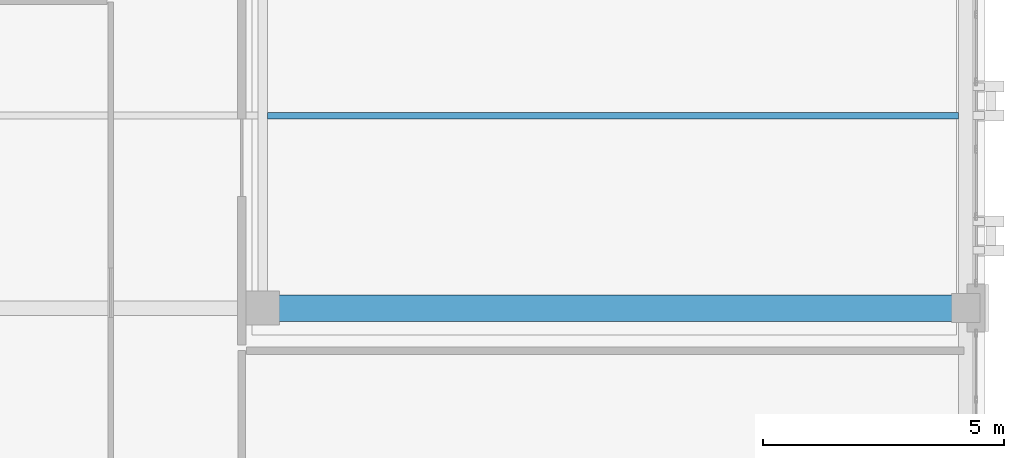
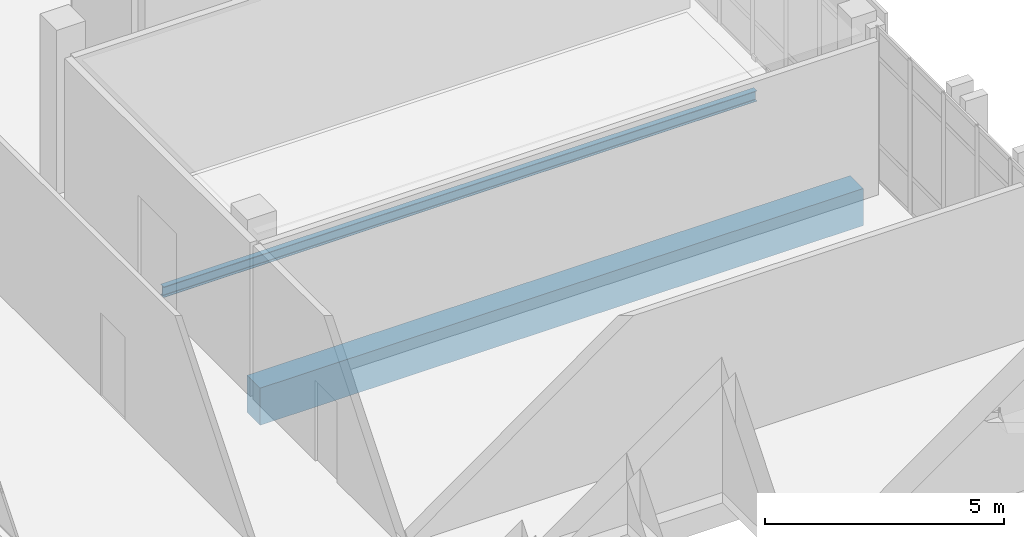
# One storey, part 35 of 77: 2 beams.
"""IFC4 building model written with IfcOpenShell, lengths in metres."""

from ifc_helpers import new_model, si_unit, direction, frame, origin, origin_2d, place, context, subcontext, project, spatial, rectangle, i_section, extrude, material, material_profile, profile_set, type_object, element, save


model = new_model("IFC4")

# Units and contexts
model_context = context("Model", 3, precision=1e-05, world=origin(), true_north=direction((0.0, 1.0)))
body_context = subcontext(model_context, "Body", "Model", "MODEL_VIEW")
ifc_project = project(units=[si_unit("LENGTHUNIT", "METRE"), si_unit("AREAUNIT", "SQUARE_METRE"), si_unit("VOLUMEUNIT", "CUBIC_METRE"), si_unit("PLANEANGLEUNIT", "RADIAN"), si_unit("MASSUNIT", "GRAM", prefix="KILO")], contexts=[model_context])

# Site, building, storey
site_placement = place(None, origin())
site = spatial("IfcSite", under=ifc_project, at=site_placement, CompositionType="ELEMENT")
building_placement = place(site_placement, origin())
building = spatial("IfcBuilding", under=site, at=building_placement, Name="Qalavern Law Courts", CompositionType="ELEMENT")
storey_placement = place(building_placement, frame((0.0, 0.0, 27.0)))
storey = spatial("IfcBuildingStorey", under=building, at=storey_placement, Name="L06", CompositionType="ELEMENT", Elevation=27.0)

# Beams
ifc_material_1 = material(Name="Concrete C40/50", Category="concrete")
ifc_material_profile_1 = material_profile(ifc_material_1, rectangle(XDim=0.550048828125, YDim=0.949951171875, at=origin_2d()), Name="RC 550x950")
ifc_profile_set_1 = profile_set([ifc_material_profile_1], Name="Concrete C40/50")
beam_type_1 = type_object("IfcBeamType", Name="STR-BM-RC550x950", PredefinedType="BEAM", material=ifc_profile_set_1)
beam_1_placement = place(storey_placement, frame((91.800048828125, 57.39990234375, -0.7451171875), z_axis=(1.0, 0.0, 0.0), x_axis=(0.0, 1.0, 0.0)))
element("IfcBeam", 1, at=beam_1_placement, inside=storey, type_object=beam_type_1, Name="V4 X-beam 3-2 L06", PredefinedType="BEAM", context=body_context, shape_type="SweptSolid", body=[
    extrude(rectangle(XDim=0.550048828125, YDim=0.949951171875, at=origin_2d()), origin(), (0.0, 0.0, 1.0), 14.599853515625),
])
ifc_material_2 = material(Name="Steel S355", Category="steel")
ifc_material_profile_2 = material_profile(ifc_material_2, i_section(OverallWidth=0.135009765625, OverallDepth=0.27001953125, WebThickness=0.006591796875, FlangeThickness=0.01025390625, FilletRadius=0.014892578125, at=origin_2d()), Name="IPE 270")
ifc_profile_set_2 = profile_set([ifc_material_profile_2], Name="Steel S355")
beam_type_2 = type_object("IfcBeamType", Name="STR-JST-IPE270", PredefinedType="JOIST", material=ifc_profile_set_2)
beam_2_placement = place(storey_placement, frame((91.89794921875, 61.39990234375, -0.405029296875), z_axis=(1.0, 0.0, 0.0), x_axis=(0.0, 1.0, 0.0)))
element("IfcBeam", 2, at=beam_2_placement, inside=storey, type_object=beam_type_2, Name="V4 secondary joist 2.3.1 L06", PredefinedType="JOIST", context=body_context, shape_type="SweptSolid", body=[
    extrude(i_section(OverallWidth=0.135009765625, OverallDepth=0.27001953125, WebThickness=0.006591796875, FlangeThickness=0.01025390625, FilletRadius=0.014892578125, at=origin_2d()), origin(), (0.0, 0.0, 1.0), 14.35400390625),
])

save(model, "model.ifc")
